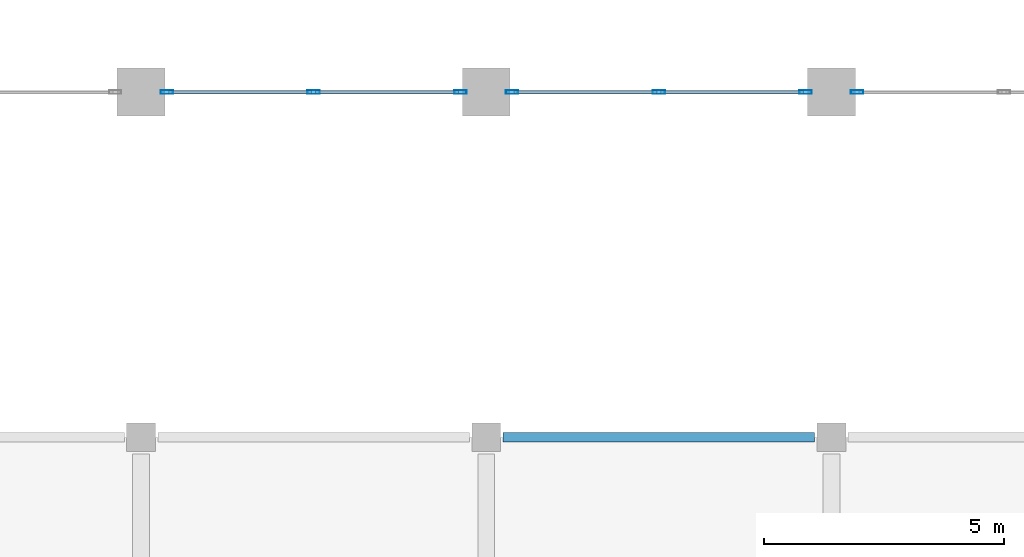
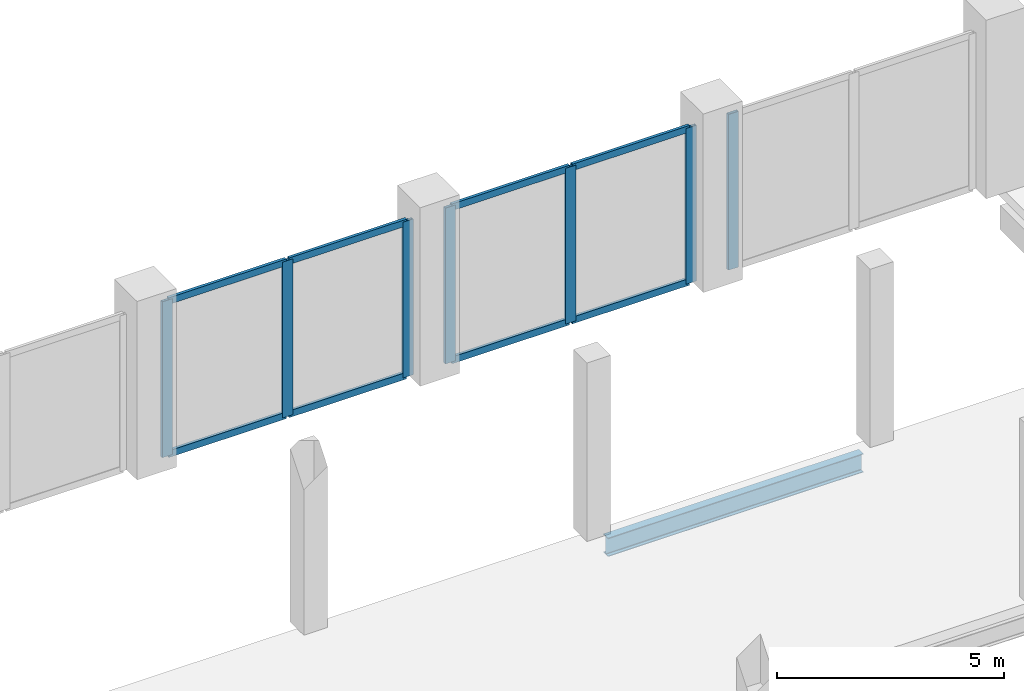
# One storey, part 35 of 99: 15 members, 1 beam, 3 elements without a shape of their own.
"""IFC4 building model written with IfcOpenShell, lengths in metres."""

from ifc_helpers import new_model, si_unit, direction, frame, origin, origin_2d, place, context, subcontext, project, spatial, hollow_rectangle, i_section, extrude, material, material_profile, profile_set, type_object, element, aggregate, save


model = new_model("IFC4")

# Units and contexts
model_context = context("Model", 3, precision=1e-05, world=origin(), true_north=direction((0.0, 1.0)))
body_context = subcontext(model_context, "Body", "Model", "MODEL_VIEW")
ifc_project = project(units=[si_unit("LENGTHUNIT", "METRE"), si_unit("AREAUNIT", "SQUARE_METRE"), si_unit("VOLUMEUNIT", "CUBIC_METRE"), si_unit("PLANEANGLEUNIT", "RADIAN"), si_unit("MASSUNIT", "GRAM", prefix="KILO")], contexts=[model_context])

# Site, building, storey
site_placement = place(None, origin())
site = spatial("IfcSite", under=ifc_project, at=site_placement, CompositionType="ELEMENT")
building_placement = place(site_placement, origin())
building = spatial("IfcBuilding", under=site, at=building_placement, Name="Vesperath Aquatics Centre", CompositionType="ELEMENT")
storey_placement = place(building_placement, frame((0.0, 0.0, 5.39990234375)))
storey = spatial("IfcBuildingStorey", under=building, at=storey_placement, Name="L01", CompositionType="ELEMENT", Elevation=5.39990234375)

# Beam
ifc_material_1 = material(Name="Steel Q355D", Category="steel")
ifc_material_profile_1 = material_profile(ifc_material_1, i_section(OverallWidth=0.199951171875, OverallDepth=0.5, WebThickness=0.010009765625, FlangeThickness=0.01611328125, FilletRadius=0.02001953125, at=origin_2d()), Name="HN 500x200x10x16")
ifc_profile_set_1 = profile_set([ifc_material_profile_1], Name="Steel Q355D")
beam_type = type_object("IfcBeamType", Name="BM-SP01", PredefinedType="SPANDREL", material=ifc_profile_set_1)
beam_placement = place(storey_placement, frame((86.75, 79.199951171875, -0.510009765625), z_axis=(1.0, 0.0, 0.0), x_axis=(0.0, 1.0, 0.0)))
element("IfcBeam", 1, at=beam_placement, inside=storey, type_object=beam_type, Name="Floor Girder SP01 L01 M 13-14", PredefinedType="SPANDREL", context=body_context, shape_type="SweptSolid", body=[
    extrude(i_section(OverallWidth=0.199951171875, OverallDepth=0.5, WebThickness=0.010009765625, FlangeThickness=0.01611328125, FilletRadius=0.02001953125, at=origin_2d()), origin(), (0.0, 0.0, 1.0), 6.5),
])

# Curtain wall, members
ifc_material_2 = material(Name="Thermally broken anodised bronze aluminium curtain wall", Category="aluminium")
curtain_wall_type = type_object("IfcCurtainWallType", Name="CW-02", PredefinedType="NOTDEFINED", material=ifc_material_2)
curtain_wall_1_placement = place(storey_placement, origin())
curtain_wall_1 = element("IfcCurtainWall", 2, at=curtain_wall_1_placement, inside=storey, type_object=curtain_wall_type, Name="Facade Curtain Wall CW02 L01_N_11_12", PredefinedType="NOTDEFINED")
ifc_material_3 = material(Name="Thermally broken anodised aluminium", Category="aluminium")
ifc_material_profile_2 = material_profile(ifc_material_3, hollow_rectangle(XDim=0.074951171875, YDim=0.260009765625, WallThickness=0.006103515625, at=origin_2d()), Name="CWM 75x260x6")
ifc_profile_set_2 = profile_set([ifc_material_profile_2], Name="Thermally broken anodised aluminium")
member_type_1 = type_object("IfcMemberType", Name="MB-CWM1", PredefinedType="MULLION", material=ifc_profile_set_2)
member_1_placement = place(storey_placement, frame((79.737548828125, 86.39990234375, 0.0), z_axis=(0.0, 0.0, 1.0), x_axis=(0.0, 1.0, 0.0)))
member_1 = element("IfcMember", 3, at=member_1_placement, type_object=member_type_1, Name="CW02 mullion 1", PredefinedType="MULLION", context=body_context, shape_type="SweptSolid", body=[
    extrude(hollow_rectangle(XDim=0.074951171875, YDim=0.260009765625, WallThickness=0.006103515625, at=origin_2d()), origin(), (0.0, 0.0, 1.0), 4.190185546875),
])
member_2_placement = place(storey_placement, frame((82.800048828125, 86.39990234375, 0.0), z_axis=(0.0, 0.0, 1.0), x_axis=(0.0, 1.0, 0.0)))
member_2 = element("IfcMember", 4, at=member_2_placement, type_object=member_type_1, Name="CW02 mullion 2", PredefinedType="MULLION", context=body_context, shape_type="SweptSolid", body=[
    extrude(hollow_rectangle(XDim=0.074951171875, YDim=0.260009765625, WallThickness=0.006103515625, at=origin_2d()), origin(), (0.0, 0.0, 1.0), 4.190185546875),
])
member_3_placement = place(storey_placement, frame((85.862548828125, 86.39990234375, 0.0), z_axis=(0.0, 0.0, 1.0), x_axis=(0.0, 1.0, 0.0)))
member_3 = element("IfcMember", 5, at=member_3_placement, type_object=member_type_1, Name="CW02 mullion 3", PredefinedType="MULLION", context=body_context, shape_type="SweptSolid", body=[
    extrude(hollow_rectangle(XDim=0.074951171875, YDim=0.260009765625, WallThickness=0.006103515625, at=origin_2d()), origin(), (0.0, 0.0, 1.0), 4.190185546875),
])

curtain_wall_2_placement = place(storey_placement, origin())
curtain_wall_2 = element("IfcCurtainWall", 6, at=curtain_wall_2_placement, inside=storey, type_object=curtain_wall_type, Name="Facade Curtain Wall CW02 L01_N_12_12", PredefinedType="NOTDEFINED")
member_4_placement = place(storey_placement, frame((86.9375, 86.39990234375, 0.0), z_axis=(0.0, 0.0, 1.0), x_axis=(0.0, 1.0, 0.0)))
member_4 = element("IfcMember", 7, at=member_4_placement, type_object=member_type_1, Name="CW02 mullion 1", PredefinedType="MULLION", context=body_context, shape_type="SweptSolid", body=[
    extrude(hollow_rectangle(XDim=0.074951171875, YDim=0.260009765625, WallThickness=0.006103515625, at=origin_2d()), origin(), (0.0, 0.0, 1.0), 4.190185546875),
])
member_5_placement = place(storey_placement, frame((90.0, 86.39990234375, 0.0), z_axis=(0.0, 0.0, 1.0), x_axis=(0.0, 1.0, 0.0)))
member_5 = element("IfcMember", 8, at=member_5_placement, type_object=member_type_1, Name="CW02 mullion 2", PredefinedType="MULLION", context=body_context, shape_type="SweptSolid", body=[
    extrude(hollow_rectangle(XDim=0.074951171875, YDim=0.260009765625, WallThickness=0.006103515625, at=origin_2d()), origin(), (0.0, 0.0, 1.0), 4.190185546875),
])
member_6_placement = place(storey_placement, frame((93.0625, 86.39990234375, 0.0), z_axis=(0.0, 0.0, 1.0), x_axis=(0.0, 1.0, 0.0)))
member_6 = element("IfcMember", 9, at=member_6_placement, type_object=member_type_1, Name="CW02 mullion 3", PredefinedType="MULLION", context=body_context, shape_type="SweptSolid", body=[
    extrude(hollow_rectangle(XDim=0.074951171875, YDim=0.260009765625, WallThickness=0.006103515625, at=origin_2d()), origin(), (0.0, 0.0, 1.0), 4.190185546875),
])

# Curtain wall, member
curtain_wall_3_placement = place(storey_placement, origin())
curtain_wall_3 = element("IfcCurtainWall", 10, at=curtain_wall_3_placement, inside=storey, type_object=curtain_wall_type, Name="Facade Curtain Wall CW02 L01_N_13_12", PredefinedType="NOTDEFINED")
member_7_placement = place(storey_placement, frame((94.137451171875, 86.39990234375, 0.0), z_axis=(0.0, 0.0, 1.0), x_axis=(0.0, 1.0, 0.0)))
member_7 = element("IfcMember", 11, at=member_7_placement, type_object=member_type_1, Name="CW02 mullion 1", PredefinedType="MULLION", context=body_context, shape_type="SweptSolid", body=[
    extrude(hollow_rectangle(XDim=0.074951171875, YDim=0.260009765625, WallThickness=0.006103515625, at=origin_2d()), origin(), (0.0, 0.0, 1.0), 4.190185546875),
])
aggregate(curtain_wall_3, [member_7])

# Member
ifc_material_profile_3 = material_profile(ifc_material_3, hollow_rectangle(XDim=0.074951171875, YDim=0.179931640625, WallThickness=0.0048828125, at=origin_2d()), Name="CWT 75x180x5")
ifc_profile_set_3 = profile_set([ifc_material_profile_3], Name="Thermally broken anodised aluminium")
member_type_2 = type_object("IfcMemberType", Name="MB-CWT1", PredefinedType="USERDEFINED", material=ifc_profile_set_3)
member_8_placement = place(storey_placement, frame((79.77490234375, 86.39990234375, 0.03759765625), z_axis=(1.0, 0.0, 0.0), x_axis=(0.0, 1.0, 0.0)))
member_8 = element("IfcMember", 12, at=member_8_placement, type_object=member_type_2, Name="CW02 transom 1.1", ObjectType="TRANSOM", PredefinedType="USERDEFINED", context=body_context, shape_type="SweptSolid", body=[
    extrude(hollow_rectangle(XDim=0.074951171875, YDim=0.179931640625, WallThickness=0.0048828125, at=origin_2d()), origin(), (0.0, 0.0, 1.0), 2.987548828125),
])

member_9_placement = place(storey_placement, frame((79.77490234375, 86.39990234375, 4.152587890625), z_axis=(1.0, 0.0, 0.0), x_axis=(0.0, 1.0, 0.0)))
member_9 = element("IfcMember", 13, at=member_9_placement, type_object=member_type_2, Name="CW02 transom 1.2", ObjectType="TRANSOM", PredefinedType="USERDEFINED", context=body_context, shape_type="SweptSolid", body=[
    extrude(hollow_rectangle(XDim=0.074951171875, YDim=0.179931640625, WallThickness=0.0048828125, at=origin_2d()), origin(), (0.0, 0.0, 1.0), 2.987548828125),
])

member_10_placement = place(storey_placement, frame((82.83740234375, 86.39990234375, 0.03759765625), z_axis=(1.0, 0.0, 0.0), x_axis=(0.0, 1.0, 0.0)))
member_10 = element("IfcMember", 14, at=member_10_placement, type_object=member_type_2, Name="CW02 transom 2.1", ObjectType="TRANSOM", PredefinedType="USERDEFINED", context=body_context, shape_type="SweptSolid", body=[
    extrude(hollow_rectangle(XDim=0.074951171875, YDim=0.179931640625, WallThickness=0.0048828125, at=origin_2d()), origin(), (0.0, 0.0, 1.0), 2.987548828125),
])

member_11_placement = place(storey_placement, frame((82.83740234375, 86.39990234375, 4.152587890625), z_axis=(1.0, 0.0, 0.0), x_axis=(0.0, 1.0, 0.0)))
member_11 = element("IfcMember", 15, at=member_11_placement, type_object=member_type_2, Name="CW02 transom 2.2", ObjectType="TRANSOM", PredefinedType="USERDEFINED", context=body_context, shape_type="SweptSolid", body=[
    extrude(hollow_rectangle(XDim=0.074951171875, YDim=0.179931640625, WallThickness=0.0048828125, at=origin_2d()), origin(), (0.0, 0.0, 1.0), 2.987548828125),
])

aggregate(curtain_wall_1, [member_1, member_2, member_3, member_8, member_9, member_10, member_11])

member_12_placement = place(storey_placement, frame((86.97509765625, 86.39990234375, 0.03759765625), z_axis=(1.0, 0.0, 0.0), x_axis=(0.0, 1.0, 0.0)))
member_12 = element("IfcMember", 16, at=member_12_placement, type_object=member_type_2, Name="CW02 transom 1.1", ObjectType="TRANSOM", PredefinedType="USERDEFINED", context=body_context, shape_type="SweptSolid", body=[
    extrude(hollow_rectangle(XDim=0.074951171875, YDim=0.179931640625, WallThickness=0.0048828125, at=origin_2d()), origin(), (0.0, 0.0, 1.0), 2.9873046875),
])

member_13_placement = place(storey_placement, frame((86.97509765625, 86.39990234375, 4.152587890625), z_axis=(1.0, 0.0, 0.0), x_axis=(0.0, 1.0, 0.0)))
member_13 = element("IfcMember", 17, at=member_13_placement, type_object=member_type_2, Name="CW02 transom 1.2", ObjectType="TRANSOM", PredefinedType="USERDEFINED", context=body_context, shape_type="SweptSolid", body=[
    extrude(hollow_rectangle(XDim=0.074951171875, YDim=0.179931640625, WallThickness=0.0048828125, at=origin_2d()), origin(), (0.0, 0.0, 1.0), 2.9873046875),
])

member_14_placement = place(storey_placement, frame((90.03759765625, 86.39990234375, 0.03759765625), z_axis=(1.0, 0.0, 0.0), x_axis=(0.0, 1.0, 0.0)))
member_14 = element("IfcMember", 18, at=member_14_placement, type_object=member_type_2, Name="CW02 transom 2.1", ObjectType="TRANSOM", PredefinedType="USERDEFINED", context=body_context, shape_type="SweptSolid", body=[
    extrude(hollow_rectangle(XDim=0.074951171875, YDim=0.179931640625, WallThickness=0.0048828125, at=origin_2d()), origin(), (0.0, 0.0, 1.0), 2.9873046875),
])

member_15_placement = place(storey_placement, frame((90.03759765625, 86.39990234375, 4.152587890625), z_axis=(1.0, 0.0, 0.0), x_axis=(0.0, 1.0, 0.0)))
member_15 = element("IfcMember", 19, at=member_15_placement, type_object=member_type_2, Name="CW02 transom 2.2", ObjectType="TRANSOM", PredefinedType="USERDEFINED", context=body_context, shape_type="SweptSolid", body=[
    extrude(hollow_rectangle(XDim=0.074951171875, YDim=0.179931640625, WallThickness=0.0048828125, at=origin_2d()), origin(), (0.0, 0.0, 1.0), 2.9873046875),
])

aggregate(curtain_wall_2, [member_4, member_5, member_6, member_12, member_13, member_14, member_15])

save(model, "model.ifc")
